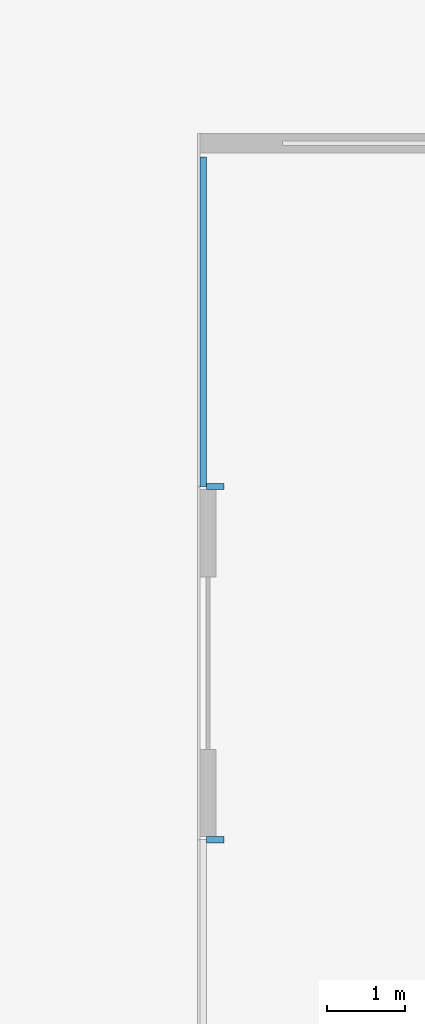
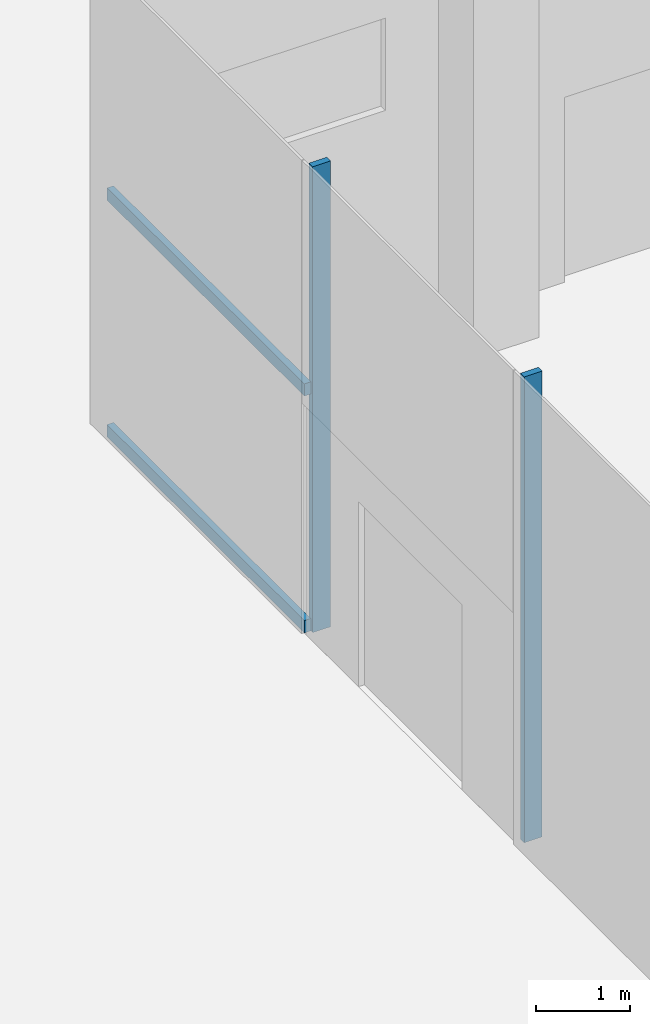
# One storey, part 12 of 37: 4 members, 1 element without a shape of its own.
"""IFC4 building model written with IfcOpenShell, lengths in metres."""

from ifc_helpers import new_model, si_unit, direction, frame, origin, origin_2d, place, context, subcontext, project, spatial, rectangle, extrude, material, layer, layer_set, material_profile, profile_set, type_object, element, aggregate, save


model = new_model("IFC4")

# Units and contexts
model_context = context("Model", 3, precision=1e-05, world=origin(), true_north=direction((0.0, 1.0)))
body_context = subcontext(model_context, "Body", "Model", "MODEL_VIEW")
ifc_project = project(units=[si_unit("LENGTHUNIT", "METRE"), si_unit("AREAUNIT", "SQUARE_METRE"), si_unit("VOLUMEUNIT", "CUBIC_METRE"), si_unit("PLANEANGLEUNIT", "RADIAN"), si_unit("MASSUNIT", "GRAM", prefix="KILO")], contexts=[model_context])

# Site, building, storey
site_placement = place(None, origin())
site = spatial("IfcSite", under=ifc_project, at=site_placement, CompositionType="ELEMENT")
building_placement = place(site_placement, origin())
building = spatial("IfcBuilding", under=site, at=building_placement, Name="Shamsa Quay Exchange Towers", CompositionType="ELEMENT")
storey_placement = place(building_placement, origin())
storey = spatial("IfcBuildingStorey", under=building, at=storey_placement, Name="L00", CompositionType="ELEMENT", Elevation=0.0)

# Curtain wall, members
ifc_material = material(Name="Aluminium EN AW-6063 T6, black anodised", Category="aluminium")
ifc_layer = layer(ifc_material, 0.33203125)
ifc_layer_set = layer_set([ifc_layer], Name="CW-3 PODIUM SHOPFRONT GLAZING")
curtain_wall_type = type_object("IfcCurtainWallType", Name="CW-3 PODIUM SHOPFRONT GLAZING", PredefinedType="NOTDEFINED", material=ifc_layer_set)
curtain_wall_placement = place(storey_placement, origin())
curtain_wall = element("IfcCurtainWall", 1, at=curtain_wall_placement, inside=storey, type_object=curtain_wall_type, Name="CW3 PODIUM-L00-F02", PredefinedType="NOTDEFINED")
ifc_material_profile_1 = material_profile(ifc_material, rectangle(XDim=0.219970703125, YDim=0.080078125, at=origin_2d()), Name="MU80x220")
ifc_profile_set_1 = profile_set([ifc_material_profile_1], Name="Aluminium EN AW-6063 T6, black anodised")
member_type_1 = type_object("IfcMemberType", Name="CW3 MULLION 80x220", PredefinedType="MULLION", material=ifc_profile_set_1)
member_1_placement = place(storey_placement, frame((-67.31005859375, 29.25, 0.0)))
member_1 = element("IfcMember", 2, at=member_1_placement, type_object=member_type_1, Name="CW3 mullion", PredefinedType="MULLION", context=body_context, shape_type="SweptSolid", body=[
    extrude(rectangle(XDim=0.219970703125, YDim=0.080078125, at=origin_2d()), origin(), (0.0, 0.0, 1.0), 6.050048828125),
])
member_2_placement = place(storey_placement, frame((-67.31005859375, 24.75, 0.0)))
member_2 = element("IfcMember", 3, at=member_2_placement, type_object=member_type_1, Name="CW3 mullion", PredefinedType="MULLION", context=body_context, shape_type="SweptSolid", body=[
    extrude(rectangle(XDim=0.219970703125, YDim=0.080078125, at=origin_2d()), origin(), (0.0, 0.0, 1.0), 6.050048828125),
])
ifc_material_profile_2 = material_profile(ifc_material, rectangle(XDim=0.080078125, YDim=0.159912109375, at=origin_2d()), Name="TR160x80")
ifc_profile_set_2 = profile_set([ifc_material_profile_2], Name="Aluminium EN AW-6063 T6, black anodised")
member_type_2 = type_object("IfcMemberType", Name="CW3 TRANSOM 160x80", PredefinedType="USERDEFINED", material=ifc_profile_set_2)
member_3_placement = place(storey_placement, frame((-67.4599609375, 33.447998046875, 0.080078125), z_axis=(0.0, -1.0, 0.0), x_axis=(1.0, 0.0, 0.0)))
member_3 = element("IfcMember", 4, at=member_3_placement, type_object=member_type_2, Name="CW3 transom", ObjectType="TRANSOM", PredefinedType="USERDEFINED", context=body_context, shape_type="SweptSolid", body=[
    extrude(rectangle(XDim=0.080078125, YDim=0.159912109375, at=origin_2d()), origin(), (0.0, 0.0, 1.0), 4.197998046875),
])
member_4_placement = place(storey_placement, frame((-67.4599609375, 33.447998046875, 3.155029296875), z_axis=(0.0, -1.0, 0.0), x_axis=(1.0, 0.0, 0.0)))
member_4 = element("IfcMember", 5, at=member_4_placement, type_object=member_type_2, Name="CW3 transom", ObjectType="TRANSOM", PredefinedType="USERDEFINED", context=body_context, shape_type="SweptSolid", body=[
    extrude(rectangle(XDim=0.080078125, YDim=0.159912109375, at=origin_2d()), origin(), (0.0, 0.0, 1.0), 4.197998046875),
])
aggregate(curtain_wall, [member_3, member_4, member_1, member_2])

save(model, "model.ifc")
